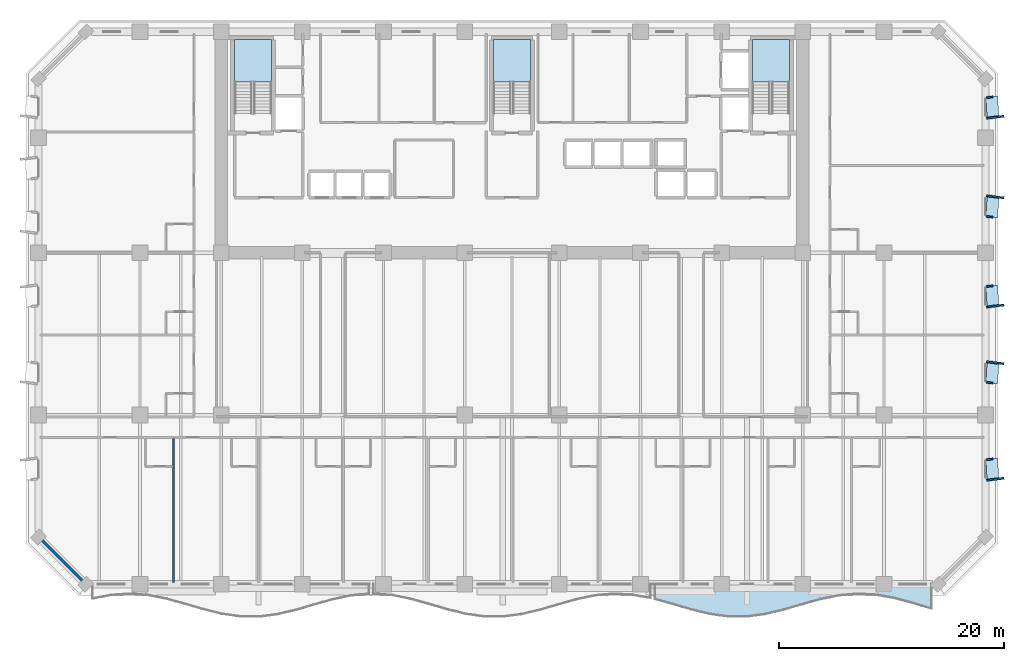
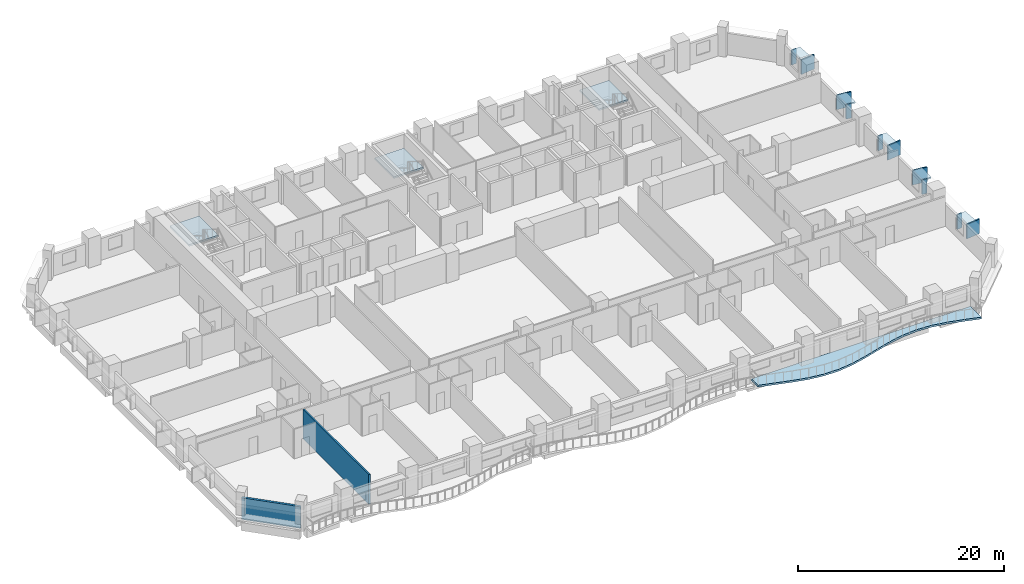
# One storey, part 3 of 15: 15 plates, 4 slabs, 2 walls, 3 elements without a shape of their own.
"""IFC4 building model written with IfcOpenShell, lengths in metres."""

from ifc_helpers import new_model, si_unit, direction, frame, frame_2d, origin, origin_2d, place, context, subcontext, project, spatial, polyline, rectangle, outline, extrude, material, layer, layer_set, type_object, element, aggregate, save


model = new_model("IFC4")

# Units and contexts
model_context = context("Model", 3, precision=1e-05, world=origin(), true_north=direction((0.0, 1.0)))
body_context = subcontext(model_context, "Body", "Model", "MODEL_VIEW")
ifc_project = project(units=[si_unit("LENGTHUNIT", "METRE"), si_unit("AREAUNIT", "SQUARE_METRE"), si_unit("VOLUMEUNIT", "CUBIC_METRE"), si_unit("PLANEANGLEUNIT", "RADIAN"), si_unit("MASSUNIT", "GRAM", prefix="KILO")], contexts=[model_context])

# Site, building, storey
site_placement = place(None, origin())
site = spatial("IfcSite", under=ifc_project, at=site_placement, CompositionType="ELEMENT")
building_placement = place(site_placement, origin())
building = spatial("IfcBuilding", under=site, at=building_placement, Name="Kaelvorn Grand Hotel", CompositionType="ELEMENT")
storey_placement = place(building_placement, frame((0.0, 0.0, 61.39990234375)))
storey = spatial("IfcBuildingStorey", under=building, at=storey_placement, Name="L13", CompositionType="ELEMENT", Elevation=61.39990234375)

# Plates
ifc_material_1 = material(Name="Precast concrete C45/55", Category="concrete")
ifc_layer_1 = layer(ifc_material_1, 0.159912109375)
ifc_layer_set_1 = layer_set([ifc_layer_1], Name="Precast concrete C45/55")
plate_type_1 = type_object("IfcPlateType", Name="PL-FRAME-DEEP-1550", PredefinedType="USERDEFINED", material=ifc_layer_set_1)
for number, where, z_axis, x_axis, name in (
    (1, (84.864990234375, 9.31005859375, 0.68994140625), (0.0, 0.0, 1.0), (-0.121869343405, 0.992546151641, 0.0), "L13 Tilted Precast Window Frame Fin L-E01"),
    (2, (84.864990234375, 19.64990234375, 0.68994140625), (0.0, 0.0, 1.0), (0.121869343405, 0.992546151641, 0.0), "L13 Tilted Precast Window Frame Fin R-E02"),
    (3, (84.864990234375, 24.669921875, 0.68994140625), (0.0, 0.0, 1.0), (-0.121869343405, 0.992546151641, 0.0), "L13 Tilted Precast Window Frame Fin L-E03"),
    (4, (84.864990234375, 34.364990234375, 0.68994140625), (0.0, 0.0, 1.0), (0.121869343405, 0.992546151641, 0.0), "L13 Tilted Precast Window Frame Fin R-E04"),
    (5, (84.864990234375, 41.425048828125, 0.68994140625), (0.0, 0.0, 1.0), (-0.121869343405, 0.992546151641, 0.0), "L13 Tilted Precast Window Frame Fin L-E05"),
):
    element("IfcPlate", number, at=place(storey_placement, frame(where, z_axis=z_axis, x_axis=x_axis)), inside=storey, type_object=plate_type_1, Name=name, ObjectType="FLANGE_PLATE", PredefinedType="USERDEFINED", context=body_context, shape_type="SweptSolid", body=[
        extrude(rectangle(XDim=0.159912109375, YDim=1.550048828125, at=origin_2d()), origin(), (0.0, 0.0, 1.0), 1.719970703125),
    ])
ifc_layer_2 = layer(ifc_material_1, 0.159912109375)
ifc_layer_set_2 = layer_set([ifc_layer_2], Name="Precast concrete C45/55")
plate_type_2 = type_object("IfcPlateType", Name="PL-FRAME-HEAD-1050", PredefinedType="USERDEFINED", material=ifc_layer_set_2)
for number, where, z_axis, x_axis, name in (
    (6, (84.614990234375, 10.199951171875, 2.25), (0.0, 0.0, 1.0), (-0.054950179912, 0.998489097451, 0.0), "L13 Precast Window Frame Head Hood H-E01"),
    (7, (84.614990234375, 18.760009765625, 2.25), (0.0, 0.0, 1.0), (0.054950179912, 0.998489097451, 0.0), "L13 Precast Window Frame Head Hood H-E02"),
    (8, (84.614990234375, 25.56005859375, 2.25), (0.0, 0.0, 1.0), (-0.054950179912, 0.998489097451, 0.0), "L13 Precast Window Frame Head Hood H-E03"),
    (9, (84.614990234375, 33.47509765625, 2.25), (0.0, 0.0, 1.0), (0.054950179912, 0.998489097451, 0.0), "L13 Precast Window Frame Head Hood H-E04"),
    (10, (84.614990234375, 42.31494140625, 2.25), (0.0, 0.0, 1.0), (-0.054950179912, 0.998489097451, 0.0), "L13 Precast Window Frame Head Hood H-E05"),
):
    element("IfcPlate", number, at=place(storey_placement, frame(where, z_axis=z_axis, x_axis=x_axis)), inside=storey, type_object=plate_type_2, Name=name, ObjectType="FLANGE_PLATE", PredefinedType="USERDEFINED", context=body_context, shape_type="SweptSolid", body=[
        extrude(rectangle(XDim=1.860107421875, YDim=1.050048828125, at=origin_2d()), origin(), (0.0, 0.0, 1.0), 0.159912109375),
    ])
ifc_layer_3 = layer(ifc_material_1, 0.159912109375)
ifc_layer_set_3 = layer_set([ifc_layer_3], Name="Precast concrete C45/55")
plate_type_3 = type_object("IfcPlateType", Name="PL-FRAME-SHAL-550", PredefinedType="USERDEFINED", material=ifc_layer_set_3)
for number, where, z_axis, x_axis, name in (
    (11, (84.364990234375, 11.090087890625, 0.68994140625), (0.0, 0.0, 1.0), (-0.121869343405, 0.992546151641, 0.0), "L13 Tilted Precast Window Frame Fin R-E01"),
    (12, (84.364990234375, 17.8701171875, 0.68994140625), (0.0, 0.0, 1.0), (0.121869343405, 0.992546151641, 0.0), "L13 Tilted Precast Window Frame Fin L-E02"),
    (13, (84.364990234375, 26.449951171875, 0.68994140625), (0.0, 0.0, 1.0), (-0.121869343405, 0.992546151641, 0.0), "L13 Tilted Precast Window Frame Fin R-E03"),
    (14, (84.364990234375, 32.5849609375, 0.68994140625), (0.0, 0.0, 1.0), (0.121869343405, 0.992546151641, 0.0), "L13 Tilted Precast Window Frame Fin L-E04"),
    (15, (84.364990234375, 43.205078125, 0.68994140625), (0.0, 0.0, 1.0), (-0.121869343405, 0.992546151641, 0.0), "L13 Tilted Precast Window Frame Fin R-E05"),
):
    element("IfcPlate", number, at=place(storey_placement, frame(where, z_axis=z_axis, x_axis=x_axis)), inside=storey, type_object=plate_type_3, Name=name, ObjectType="FLANGE_PLATE", PredefinedType="USERDEFINED", context=body_context, shape_type="SweptSolid", body=[
        extrude(rectangle(XDim=0.159912109375, YDim=0.550048828125, at=origin_2d()), origin(), (0.0, 0.0, 1.0), 1.719970703125),
    ])

# Slab
ifc_material_2 = material(Name="Concrete C40/50", Category="concrete")
ifc_layer_4 = layer(ifc_material_2, 0.219970703125)
ifc_layer_set_4 = layer_set([ifc_layer_4], Name="Concrete C40/50")
slab_type_1 = type_object("IfcSlabType", Name="SLB-BALC-220-C40", PredefinedType="FLOOR", material=ifc_layer_set_4)
slab_1_placement = place(storey_placement, frame((0.0, 0.0, -0.219970703125)))
element("IfcSlab", 16, at=slab_1_placement, inside=storey, type_object=slab_type_1, Name="L13 Scalloped Wave Balcony Slab 3", PredefinedType="FLOOR", context=body_context, shape_type="SweptSolid", body=[
    extrude(outline(polyline([(54.666748046875, -1.318359375), (56.30224609375, -1.7744140625), (57.937744140625, -2.2529296875), (59.5732421875, -2.647216796875), (61.208984375, -2.8701171875), (62.844482421875, -2.8720703125), (64.47998046875, -2.652587890625), (66.115478515625, -2.26025390625), (67.751220703125, -1.782470703125), (69.38671875, -1.3251953125), (71.022216796875, -0.989990234375), (72.65771484375, -0.851318359375), (74.293212890625, -0.940185546875), (75.928955078125, -1.236572265625), (77.564453125, -1.6748046875), (79.199951171875, -2.157470703125), (79.199951171875, 0.0), (54.666748046875, 0.0), (54.666748046875, -1.318359375)])), origin(), (0.0, 0.0, 1.0), 0.219970703125),
])

# Stair, slab
stair_type = type_object("IfcStairType", Name="STR-DOG-1560-R06", PredefinedType="HALF_TURN_STAIR", material=ifc_material_2)
stair_1_placement = place(storey_placement, origin())
stair_1 = element("IfcStair", 17, at=stair_1_placement, inside=storey, type_object=stair_type, Name="L13 West Core Exit Stair ST1", PredefinedType="HALF_TURN_STAIR")
ifc_layer_5 = layer(ifc_material_2, 0.199951171875)
ifc_layer_set_5 = layer_set([ifc_layer_5], Name="Concrete C40/50")
slab_type_2 = type_object("IfcSlabType", Name="SLB-LAND-200-C40", PredefinedType="LANDING", material=ifc_layer_set_5)
slab_2_placement = place(storey_placement, frame((0.0, 0.0, 1.675048828125)))
slab_2 = element("IfcSlab", 18, at=slab_2_placement, type_object=slab_type_2, Name="ST1 landing 1", PredefinedType="LANDING", context=body_context, shape_type="SweptSolid", body=[
    extrude(outline(polyline([(20.679931640625, 44.56005859375), (20.679931640625, 48.300048828125), (17.39990234375, 48.300048828125), (17.39990234375, 44.56005859375), (20.679931640625, 44.56005859375)])), origin(), (0.0, 0.0, 1.0), 0.199951171875),
])
aggregate(stair_1, [slab_2])

stair_2_placement = place(storey_placement, origin())
stair_2 = element("IfcStair", 19, at=stair_2_placement, inside=storey, type_object=stair_type, Name="L13 Central Core Exit Stair ST2", PredefinedType="HALF_TURN_STAIR")
slab_3_placement = place(storey_placement, frame((0.0, 0.0, 1.675048828125)))
slab_3 = element("IfcSlab", 20, at=slab_3_placement, type_object=slab_type_2, Name="ST2 landing 1", PredefinedType="LANDING", context=body_context, shape_type="SweptSolid", body=[
    extrude(outline(polyline([(43.639892578125, 44.56005859375), (43.639892578125, 48.300048828125), (40.360107421875, 48.300048828125), (40.360107421875, 44.56005859375), (43.639892578125, 44.56005859375)])), origin(), (0.0, 0.0, 1.0), 0.199951171875),
])
aggregate(stair_2, [slab_3])

stair_3_placement = place(storey_placement, origin())
stair_3 = element("IfcStair", 21, at=stair_3_placement, inside=storey, type_object=stair_type, Name="L13 East Core Exit Stair ST3", PredefinedType="HALF_TURN_STAIR")
slab_4_placement = place(storey_placement, frame((0.0, 0.0, 1.675048828125)))
slab_4 = element("IfcSlab", 22, at=slab_4_placement, type_object=slab_type_2, Name="ST3 landing 1", PredefinedType="LANDING", context=body_context, shape_type="SweptSolid", body=[
    extrude(outline(polyline([(66.60009765625, 44.56005859375), (66.60009765625, 48.300048828125), (63.320068359375, 48.300048828125), (63.320068359375, 44.56005859375), (66.60009765625, 44.56005859375)])), origin(), (0.0, 0.0, 1.0), 0.199951171875),
])
aggregate(stair_3, [slab_4])

# Walls
ifc_layer_6 = layer(ifc_material_2, 0.260009765625)
ifc_layer_set_6 = layer_set([ifc_layer_6], Name="Concrete C40/50")
wall_type_1 = type_object("IfcWallType", Name="WL-EXT-260-C40", PredefinedType="SOLIDWALL", material=ifc_layer_set_6)
wall_1_placement = place(storey_placement, frame((0.0, 4.199951171875, 0.0), z_axis=(0.0, 0.0, 1.0), x_axis=(0.707106781187, -0.707106781187, 0.0)))
element("IfcWall", 23, at=wall_1_placement, inside=storey, type_object=wall_type_1, Name="L13 Exterior Architectural Concrete Wall 08", PredefinedType="SOLIDWALL", context=body_context, shape_type="SweptSolid", body=[
    extrude(rectangle(XDim=5.939697265625, YDim=0.260009765625, at=frame_2d((2.9697265625, 0.0))), origin(), (0.0, 0.0, 1.0), 2.56005859375),
])
ifc_material_3 = material(Name="Acoustic Gypsum & Stud Partition")
ifc_layer_7 = layer(ifc_material_3, 0.179931640625)
ifc_layer_set_7 = layer_set([ifc_layer_7], Name="Acoustic Gypsum & Stud Partition")
wall_type_2 = type_object("IfcWallType", Name="WL-PART-180-EI60", PredefinedType="PARTITIONING", material=ifc_layer_set_7)
wall_2_placement = place(storey_placement, frame((11.97998046875, 0.14990234375, 0.0), z_axis=(0.0, 0.0, 1.0), x_axis=(0.0, 1.0, 0.0)))
element("IfcWall", 24, at=wall_2_placement, inside=storey, type_object=wall_type_2, Name="L13 Deluxe Panoramic Suite L13-01 E Partition", PredefinedType="PARTITIONING", context=body_context, shape_type="SweptSolid", body=[
    extrude(rectangle(XDim=12.755126953125, YDim=0.179931640625, at=frame_2d((6.37744140625, 0.0))), origin(), (0.0, 0.0, 1.0), 3.510009765625),
])

save(model, "model.ifc")
